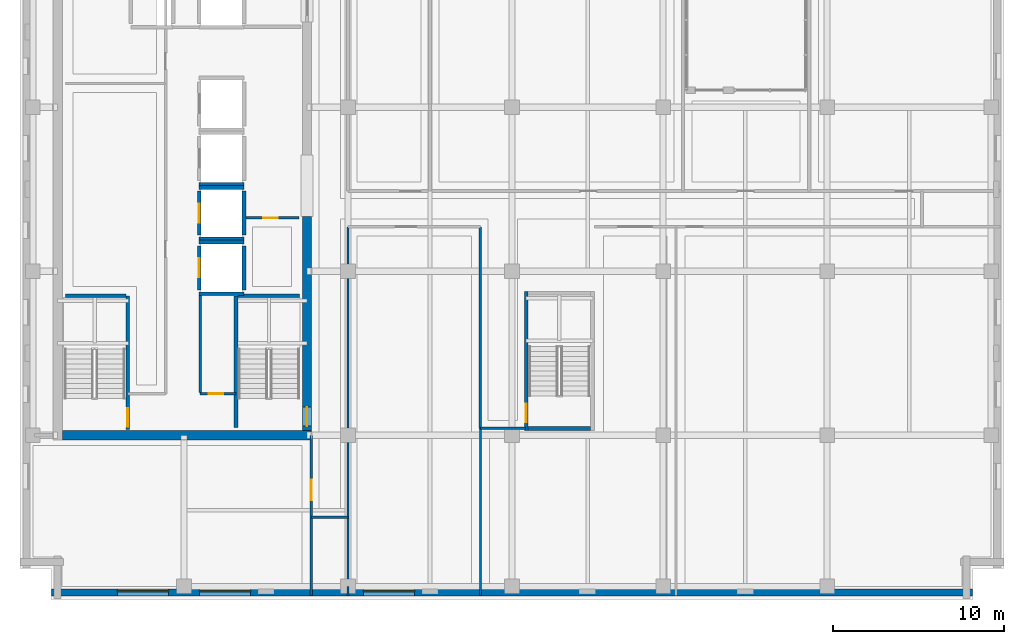
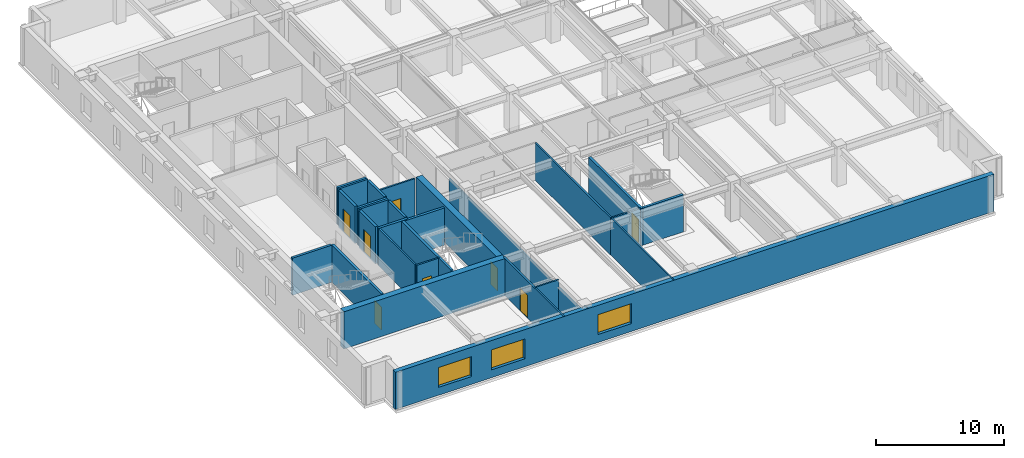
# One storey, part 3 of 14: 28 walls, 8 doors, 3 windows, 11 openings.
"""IFC4 building model written with IfcOpenShell, lengths in metres."""

from ifc_helpers import new_model, si_unit, direction, frame, frame_2d, origin, place, context, subcontext, project, spatial, rectangle, extrude, material, layer, layer_set, type_object, element, fill, save


model = new_model("IFC4")

# Units and contexts
model_context = context("Model", 3, precision=1e-05, world=origin(), true_north=direction((0.0, 1.0)))
body_context = subcontext(model_context, "Body", "Model", "MODEL_VIEW")
ifc_project = project(units=[si_unit("LENGTHUNIT", "METRE"), si_unit("AREAUNIT", "SQUARE_METRE"), si_unit("VOLUMEUNIT", "CUBIC_METRE"), si_unit("PLANEANGLEUNIT", "RADIAN"), si_unit("MASSUNIT", "GRAM", prefix="KILO")], contexts=[model_context])

# Site, building, storey
site_placement = place(None, origin())
site = spatial("IfcSite", under=ifc_project, at=site_placement, CompositionType="ELEMENT")
building_placement = place(site_placement, origin())
building = spatial("IfcBuilding", under=site, at=building_placement, Name="Norrvale University Quadrangle", CompositionType="ELEMENT")
storey_placement = place(building_placement, frame((0.0, 0.0, 221.800048828125)))
storey = spatial("IfcBuildingStorey", under=building, at=storey_placement, Name="L56", CompositionType="ELEMENT", Elevation=221.800048828125)

# Wall, openings, windows
ifc_material_1 = material(Name="Buff Norman Clay Brick Masonry", Category="masonry")
ifc_layer_1 = layer(ifc_material_1, 0.419921875, Name="Buff Norman Clay Brick Masonry")
ifc_layer_set_1 = layer_set([ifc_layer_1], Name="Buff Norman Clay Brick Masonry")
wall_type_1 = type_object("IfcWallType", Name="Wall Buff Brick 420", PredefinedType="SOLIDWALL", material=ifc_layer_set_1)
wall_1_placement = place(storey_placement, frame((1.840087890625, 0.389892578125, 0.0), z_axis=(0.0, 0.0, 1.0), x_axis=(1.0, 0.0, 0.0)))
wall_1 = element("IfcWall", 1, at=wall_1_placement, inside=storey, type_object=wall_type_1, Name="Exterior Brick Facade Wall L56-01.1", PredefinedType="SOLIDWALL", context=body_context, shape_type="SweptSolid", body=[
    extrude(rectangle(XDim=53.919921875, YDim=0.419921875, at=frame_2d((26.9599609375, 0.0))), origin(), (0.0, 0.0, 1.0), 3.5400390625),
])
opening_1_placement = place(wall_1_placement, frame((3.860107421875, 0.0, 0.75)))
opening_1 = element("IfcOpeningElement", 2, at=opening_1_placement, cuts=wall_1, Name="Opening W08", PredefinedType="OPENING", context=body_context, shape_type="SweptSolid", body=[
    extrude(rectangle(XDim=3.0, YDim=1.89990234375, at=frame_2d((1.5, 0.949951171875))), frame((0.0, 0.221923828125, 0.0), z_axis=(0.0, -1.0, 0.0), x_axis=(1.0, 0.0, 0.0)), (0.0, 0.0, 1.0), 0.44384765625),
])
opening_2_placement = place(wall_1_placement, frame((8.659912109375, 0.0, 0.75)))
opening_2 = element("IfcOpeningElement", 3, at=opening_2_placement, cuts=wall_1, Name="Opening W08", PredefinedType="OPENING", context=body_context, shape_type="SweptSolid", body=[
    extrude(rectangle(XDim=3.0, YDim=1.89990234375, at=frame_2d((1.5, 0.949951171875))), frame((0.0, 0.221923828125, 0.0), z_axis=(0.0, -1.0, 0.0), x_axis=(1.0, 0.0, 0.0)), (0.0, 0.0, 1.0), 0.44384765625),
])
opening_3_placement = place(wall_1_placement, frame((18.260009765625, 0.0, 0.75)))
opening_3 = element("IfcOpeningElement", 4, at=opening_3_placement, cuts=wall_1, Name="Opening W08", PredefinedType="OPENING", context=body_context, shape_type="SweptSolid", body=[
    extrude(rectangle(XDim=3.0, YDim=1.89990234375, at=frame_2d((1.5, 0.949951171875))), frame((0.0, 0.221923828125, 0.0), z_axis=(0.0, -1.0, 0.0), x_axis=(1.0, 0.0, 0.0)), (0.0, 0.0, 1.0), 0.44384765625),
])
ifc_material_2 = material(Name="Triple Low-E Argon Glazing", Category="glass")
window_type = type_object("IfcWindowType", Name="Window Lounge 3000x2500", PartitioningType="TRIPLE_PANEL_VERTICAL", PredefinedType="WINDOW", material=ifc_material_2)
window_1_placement = place(opening_1_placement, origin())
window_1 = element("IfcWindow", 5, at=window_1_placement, inside=storey, type_object=window_type, Name="Window Lounge 3000x2500 WIN-L56-E01-1-01", OverallHeight=1.89990234375, OverallWidth=3.0, PartitioningType="TRIPLE_PANEL_VERTICAL", PredefinedType="WINDOW", context=body_context, shape_type="SweptSolid", body=[
    extrude(rectangle(XDim=3.0, YDim=1.89990234375, at=frame_2d((1.5, 0.949951171875))), frame((0.0, 0.110107421875, 0.0), z_axis=(0.0, -1.0, 0.0), x_axis=(1.0, 0.0, 0.0)), (0.0, 0.0, 1.0), 0.06005859375),
])
fill(opening_1, window_1)
window_2_placement = place(opening_2_placement, origin())
window_2 = element("IfcWindow", 6, at=window_2_placement, inside=storey, type_object=window_type, Name="Window Lounge 3000x2500 WIN-L56-E01-1-02", OverallHeight=1.89990234375, OverallWidth=3.0, PartitioningType="TRIPLE_PANEL_VERTICAL", PredefinedType="WINDOW", context=body_context, shape_type="SweptSolid", body=[
    extrude(rectangle(XDim=3.0, YDim=1.89990234375, at=frame_2d((1.5, 0.949951171875))), frame((0.0, 0.110107421875, 0.0), z_axis=(0.0, -1.0, 0.0), x_axis=(1.0, 0.0, 0.0)), (0.0, 0.0, 1.0), 0.06005859375),
])
fill(opening_2, window_2)
window_3_placement = place(opening_3_placement, origin())
window_3 = element("IfcWindow", 7, at=window_3_placement, inside=storey, type_object=window_type, Name="Window Lounge 3000x2500 WIN-L56-E01-1-03", OverallHeight=1.89990234375, OverallWidth=3.0, PartitioningType="TRIPLE_PANEL_VERTICAL", PredefinedType="WINDOW", context=body_context, shape_type="SweptSolid", body=[
    extrude(rectangle(XDim=3.0, YDim=1.89990234375, at=frame_2d((1.5, 0.949951171875))), frame((0.0, 0.110107421875, 0.0), z_axis=(0.0, -1.0, 0.0), x_axis=(1.0, 0.0, 0.0)), (0.0, 0.0, 1.0), 0.06005859375),
])
fill(opening_3, window_3)

# Wall
ifc_material_3 = material(Name="Concrete C60/75", Category="concrete")
ifc_layer_2 = layer(ifc_material_3, 0.550048828125, Name="Concrete C60/75")
ifc_layer_set_2 = layer_set([ifc_layer_2], Name="Concrete C60/75")
wall_type_2 = type_object("IfcWallType", Name="Wall Core 550", PredefinedType="SHEAR", material=ifc_layer_set_2)
wall_2_placement = place(storey_placement, frame((2.47509765625, 9.60009765625, 0.0), z_axis=(0.0, 0.0, 1.0), x_axis=(1.0, 0.0, 0.0)))
element("IfcWall", 8, at=wall_2_placement, inside=storey, type_object=wall_type_2, Name="Tower Core Shear Wall L56-S", PredefinedType="SHEAR", context=body_context, shape_type="SweptSolid", body=[
    extrude(rectangle(XDim=14.599853515625, YDim=0.550048828125, at=frame_2d((7.2998046875, 0.0))), origin(), (0.0, 0.0, 1.0), 3.5400390625),
])

# Wall, opening, door
wall_3_placement = place(storey_placement, frame((16.800048828125, 9.875, 0.0), z_axis=(0.0, 0.0, 1.0), x_axis=(0.0, 1.0, 0.0)))
wall_3 = element("IfcWall", 9, at=wall_3_placement, inside=storey, type_object=wall_type_2, Name="Tower Core Shear Wall L56-E1", PredefinedType="SHEAR", context=body_context, shape_type="SweptSolid", body=[
    extrude(rectangle(XDim=12.52490234375, YDim=0.550048828125, at=frame_2d((6.262451171875, 0.0))), origin(), (0.0, 0.0, 1.0), 3.5400390625),
])
opening_4_placement = place(wall_3_placement, frame((0.264892578125, 0.0, 0.0)))
opening_4 = element("IfcOpeningElement", 10, at=opening_4_placement, cuts=wall_3, Name="Opening D02", PredefinedType="OPENING", context=body_context, shape_type="SweptSolid", body=[
    extrude(rectangle(XDim=1.10009765625, YDim=2.199951171875, at=frame_2d((0.550048828125, 1.10009765625))), frame((0.0, 0.287109375, 0.0), z_axis=(0.0, -1.0, 0.0), x_axis=(1.0, 0.0, 0.0)), (0.0, 0.0, 1.0), 0.573974609375),
])
ifc_material_4 = material(Name="Hollow Steel 350W Fire Door", Category="steel")
door_type_1 = type_object("IfcDoorType", Name="Door Stair Exit 1100x2200", OperationType="NOTDEFINED", PredefinedType="DOOR", material=ifc_material_4)
door_1_placement = place(opening_4_placement, origin())
door_1 = element("IfcDoor", 11, at=door_1_placement, inside=storey, type_object=door_type_1, Name="Door Stair Exit 1100x2200 DR-L56-ST03", OperationType="SINGLE_SWING_LEFT", OverallHeight=2.199951171875, OverallWidth=1.10009765625, PredefinedType="DOOR", context=body_context, shape_type="SweptSolid", body=[
    extrude(rectangle(XDim=1.10009765625, YDim=2.199951171875, at=frame_2d((0.550048828125, 1.10009765625))), frame((0.0, 0.02490234375, 0.0), z_axis=(0.0, -1.0, 0.0), x_axis=(1.0, 0.0, 0.0)), (0.0, 0.0, 1.0), 0.050048828125),
])
fill(opening_4, door_1)

# Walls
ifc_material_5 = material(Name="Standard Academic Gypsum Partition")
ifc_layer_3 = layer(ifc_material_5, 0.125, Name="Standard Academic Gypsum Partition")
ifc_layer_set_3 = layer_set([ifc_layer_3], Name="Standard Academic Gypsum Partition")
wall_type_3 = type_object("IfcWallType", Name="Wall Gypsum Academic 125", PredefinedType="PARTITIONING", material=ifc_layer_set_3)
wall_4_placement = place(storey_placement, frame((19.199951171875, 0.219970703125, 0.0), z_axis=(0.0, 0.0, 1.0), x_axis=(0.0, 1.0, 0.0)))
element("IfcWall", 12, at=wall_4_placement, inside=storey, type_object=wall_type_3, Name="Interior Partition WL-L56-SE-W0", PredefinedType="PARTITIONING", context=body_context, shape_type="SweptSolid", body=[
    extrude(rectangle(XDim=0.530029296875, YDim=0.125, at=frame_2d((0.26513671875, 0.0))), origin(), (0.0, 0.0, 1.0), 3.5400390625),
])
wall_5_placement = place(storey_placement, frame((19.199951171875, 0.75, 0.0), z_axis=(0.0, 0.0, 1.0), x_axis=(0.0, 1.0, 0.0)))
element("IfcWall", 13, at=wall_5_placement, inside=storey, type_object=wall_type_3, Name="Interior Partition WL-L56-SE-W0-B2", PredefinedType="PARTITIONING", context=body_context, shape_type="SweptSolid", body=[
    extrude(rectangle(XDim=21.050048828125, YDim=0.125, at=frame_2d((10.52490234375, 0.0))), origin(), (0.0, 0.0, 1.0), 2.844970703125),
])
wall_6_placement = place(storey_placement, frame((26.949951171875, 0.219970703125, 0.0), z_axis=(0.0, 0.0, 1.0), x_axis=(0.0, 1.0, 0.0)))
element("IfcWall", 14, at=wall_6_placement, inside=storey, type_object=wall_type_3, Name="Interior Partition WL-L56-SEP1A", PredefinedType="PARTITIONING", context=body_context, shape_type="SweptSolid", body=[
    extrude(rectangle(XDim=9.780029296875, YDim=0.125, at=frame_2d((4.89013671875, 0.0))), origin(), (0.0, 0.0, 1.0), 3.5400390625),
])

# Wall, opening, door
ifc_material_6 = material(Name="Fire-Rated Gypsum Stud Partition")
ifc_layer_4 = layer(ifc_material_6, 0.14990234375, Name="Fire-Rated Gypsum Stud Partition")
ifc_layer_set_4 = layer_set([ifc_layer_4], Name="Fire-Rated Gypsum Stud Partition")
wall_type_4 = type_object("IfcWallType", Name="Wall Gypsum Corridor 150", PredefinedType="PARTITIONING", material=ifc_layer_set_4)
wall_7_placement = place(storey_placement, frame((10.550048828125, 12.02001953125, 0.0), z_axis=(0.0, 0.0, 1.0), x_axis=(1.0, 0.0, 0.0)))
wall_7 = element("IfcWall", 15, at=wall_7_placement, inside=storey, type_object=wall_type_4, Name="Interior Partition WL-L56-SC-NR", PredefinedType="PARTITIONING", context=body_context, shape_type="SweptSolid", body=[
    extrude(rectangle(XDim=2.079833984375, YDim=0.14990234375, at=frame_2d((1.0400390625, 0.0))), origin(), (0.0, 0.0, 1.0), 3.5400390625),
])
opening_5_placement = place(wall_7_placement, frame((0.5, 0.0, 0.0)))
opening_5 = element("IfcOpeningElement", 16, at=opening_5_placement, cuts=wall_7, Name="Opening D10", PredefinedType="OPENING", context=body_context, shape_type="SweptSolid", body=[
    extrude(rectangle(XDim=0.85009765625, YDim=2.10009765625, at=frame_2d((0.425048828125, 1.050048828125))), frame((0.0, 0.0869140625, 0.0), z_axis=(0.0, -1.0, 0.0), x_axis=(1.0, 0.0, 0.0)), (0.0, 0.0, 1.0), 0.173828125),
])
ifc_material_7 = material(Name="Hollow Steel 350W Riser Fire Door", Category="steel")
door_type_2 = type_object("IfcDoorType", Name="Door Riser 850x2100", OperationType="NOTDEFINED", PredefinedType="DOOR", material=ifc_material_7)
door_2_placement = place(opening_5_placement, origin())
door_2 = element("IfcDoor", 17, at=door_2_placement, inside=storey, type_object=door_type_2, Name="Door Riser 850x2100 DR-L56-IDF", OperationType="SINGLE_SWING_RIGHT", OverallHeight=2.10009765625, OverallWidth=0.85009765625, PredefinedType="DOOR", context=body_context, shape_type="SweptSolid", body=[
    extrude(rectangle(XDim=0.85009765625, YDim=2.10009765625, at=frame_2d((0.425048828125, 1.050048828125))), frame((0.0, 0.02490234375, 0.0), z_axis=(0.0, -1.0, 0.0), x_axis=(1.0, 0.0, 0.0)), (0.0, 0.0, 1.0), 0.050048828125),
])
fill(opening_5, door_2)

# Wall
wall_8_placement = place(storey_placement, frame((10.550048828125, 12.094970703125, 0.0), z_axis=(0.0, 0.0, 1.0), x_axis=(0.0, 1.0, 0.0)))
element("IfcWall", 18, at=wall_8_placement, inside=storey, type_object=wall_type_4, Name="Interior Partition WL-L56-SC-WR", PredefinedType="PARTITIONING", context=body_context, shape_type="SweptSolid", body=[
    extrude(rectangle(XDim=5.679931640625, YDim=0.14990234375, at=frame_2d((2.83984375, 0.0))), origin(), (0.0, 0.0, 1.0), 3.5400390625),
])

# Wall, opening, door
wall_9_placement = place(storey_placement, frame((13.22509765625, 22.320068359375, 0.0), z_axis=(0.0, 0.0, 1.0), x_axis=(1.0, 0.0, 0.0)))
wall_9 = element("IfcWall", 19, at=wall_9_placement, inside=storey, type_object=wall_type_4, Name="Interior Partition WL-L56-JAN-N", PredefinedType="PARTITIONING", context=body_context, shape_type="SweptSolid", body=[
    extrude(rectangle(XDim=3.119873046875, YDim=0.14990234375, at=frame_2d((1.56005859375, 0.0))), origin(), (0.0, 0.0, 1.0), 3.5400390625),
])
opening_6_placement = place(wall_9_placement, frame((1.0, 0.0, 0.0)))
opening_6 = element("IfcOpeningElement", 20, at=opening_6_placement, cuts=wall_9, Name="Opening D10", PredefinedType="OPENING", context=body_context, shape_type="SweptSolid", body=[
    extrude(rectangle(XDim=0.85009765625, YDim=2.10009765625, at=frame_2d((0.425048828125, 1.050048828125))), frame((0.0, 0.0869140625, 0.0), z_axis=(0.0, -1.0, 0.0), x_axis=(1.0, 0.0, 0.0)), (0.0, 0.0, 1.0), 0.173828125),
])
door_3_placement = place(opening_6_placement, origin())
door_3 = element("IfcDoor", 21, at=door_3_placement, inside=storey, type_object=door_type_2, Name="Door Riser 850x2100 DR-L56-JAN", OperationType="SINGLE_SWING_LEFT", OverallHeight=2.10009765625, OverallWidth=0.85009765625, PredefinedType="DOOR", context=body_context, shape_type="SweptSolid", body=[
    extrude(rectangle(XDim=0.85009765625, YDim=2.10009765625, at=frame_2d((0.425048828125, 1.050048828125))), frame((0.0, 0.02490234375, 0.0), z_axis=(0.0, -1.0, 0.0), x_axis=(1.0, 0.0, 0.0)), (0.0, 0.0, 1.0), 0.050048828125),
])
fill(opening_6, door_3)

# Wall
wall_10_placement = place(storey_placement, frame((17.050048828125, 4.800048828125, 0.0), z_axis=(0.0, 0.0, 1.0), x_axis=(1.0, 0.0, 0.0)))
element("IfcWall", 22, at=wall_10_placement, inside=storey, type_object=wall_type_4, Name="Interior Partition WL-L56-CSP-S", PredefinedType="PARTITIONING", context=body_context, shape_type="SweptSolid", body=[
    extrude(rectangle(XDim=2.14990234375, YDim=0.14990234375, at=frame_2d((1.074951171875, 0.0))), origin(), (0.0, 0.0, 1.0), 3.5400390625),
])

# Wall, opening, door
wall_11_placement = place(storey_placement, frame((17.050048828125, 0.219970703125, 0.0), z_axis=(0.0, 0.0, 1.0), x_axis=(0.0, 1.0, 0.0)))
wall_11 = element("IfcWall", 23, at=wall_11_placement, inside=storey, type_object=wall_type_4, Name="Interior Partition WL-L56-SW-E", PredefinedType="PARTITIONING", context=body_context, shape_type="SweptSolid", body=[
    extrude(rectangle(XDim=9.380126953125, YDim=0.14990234375, at=frame_2d((4.68994140625, 0.0))), origin(), (0.0, 0.0, 1.0), 3.5400390625),
])
opening_7_placement = place(wall_11_placement, frame((5.580078125, 0.0, 0.0)))
opening_7 = element("IfcOpeningElement", 24, at=opening_7_placement, cuts=wall_11, Name="Opening D05", PredefinedType="OPENING", context=body_context, shape_type="SweptSolid", body=[
    extrude(rectangle(XDim=1.199951171875, YDim=2.199951171875, at=frame_2d((0.60009765625, 1.10009765625))), frame((0.0, 0.0869140625, 0.0), z_axis=(0.0, -1.0, 0.0), x_axis=(1.0, 0.0, 0.0)), (0.0, 0.0, 1.0), 0.173828125),
])
ifc_material_8 = material(Name="Acoustic Oak Classroom Door", Category="wood")
door_type_3 = type_object("IfcDoorType", Name="Door Classroom 1200x2200", OperationType="NOTDEFINED", PredefinedType="DOOR", material=ifc_material_8)
door_4_placement = place(opening_7_placement, origin())
door_4 = element("IfcDoor", 25, at=door_4_placement, inside=storey, type_object=door_type_3, Name="Door Classroom 1200x2200 DR-L56-SW1", OperationType="SINGLE_SWING_LEFT", OverallHeight=2.199951171875, OverallWidth=1.199951171875, PredefinedType="DOOR", context=body_context, shape_type="SweptSolid", body=[
    extrude(rectangle(XDim=1.199951171875, YDim=2.199951171875, at=frame_2d((0.60009765625, 1.10009765625))), frame((0.0, 0.02490234375, 0.0), z_axis=(0.0, -1.0, 0.0), x_axis=(1.0, 0.0, 0.0)), (0.0, 0.0, 1.0), 0.050048828125),
])
fill(opening_7, door_4)

# Walls
wall_12_placement = place(storey_placement, frame((26.949951171875, 10.0, 0.0), z_axis=(0.0, 0.0, 1.0), x_axis=(0.0, 1.0, 0.0)))
element("IfcWall", 26, at=wall_12_placement, inside=storey, type_object=wall_type_4, Name="Interior Partition WL-L56-SEP1B", PredefinedType="PARTITIONING", context=body_context, shape_type="SweptSolid", body=[
    extrude(rectangle(XDim=11.800048828125, YDim=0.14990234375, at=frame_2d((5.89990234375, 0.0))), origin(), (0.0, 0.0, 1.0), 3.5400390625),
])
wall_13_placement = place(storey_placement, frame((26.949951171875, 10.0, 0.0), z_axis=(0.0, 0.0, 1.0), x_axis=(1.0, 0.0, 0.0)))
element("IfcWall", 27, at=wall_13_placement, inside=storey, type_object=wall_type_4, Name="Interior Partition WL-L56-SEP1C", PredefinedType="PARTITIONING", context=body_context, shape_type="SweptSolid", body=[
    extrude(rectangle(XDim=2.630126953125, YDim=0.14990234375, at=frame_2d((1.31494140625, 0.0))), origin(), (0.0, 0.0, 1.0), 3.5400390625),
])

# Wall, opening, door
ifc_material_9 = material(Name="Concrete Blockwork 20 MPa Fire Shaft", Category="masonry")
ifc_layer_5 = layer(ifc_material_9, 0.219970703125, Name="Concrete Blockwork 20 MPa Fire Shaft")
ifc_layer_set_5 = layer_set([ifc_layer_5], Name="Concrete Blockwork 20 MPa Fire Shaft")
wall_type_5 = type_object("IfcWallType", Name="Wall Shaft 220", PredefinedType="SOLIDWALL", material=ifc_layer_set_5)
wall_14_placement = place(storey_placement, frame((6.31005859375, 9.949951171875, 0.0), z_axis=(0.0, 0.0, 1.0), x_axis=(0.0, 1.0, 0.0)))
wall_14 = element("IfcWall", 28, at=wall_14_placement, inside=storey, type_object=wall_type_5, Name="Stair ST-01 East Shaft Wall L56", PredefinedType="SOLIDWALL", context=body_context, shape_type="SweptSolid", body=[
    extrude(rectangle(XDim=7.81005859375, YDim=0.219970703125, at=frame_2d((3.905029296875, 0.0))), origin(), (0.0, 0.0, 1.0), 3.5400390625),
])
opening_8_placement = place(wall_14_placement, frame((0.139892578125, 0.0, 0.0)))
opening_8 = element("IfcOpeningElement", 29, at=opening_8_placement, cuts=wall_14, Name="Opening D02", PredefinedType="OPENING", context=body_context, shape_type="SweptSolid", body=[
    extrude(rectangle(XDim=1.10009765625, YDim=2.199951171875, at=frame_2d((0.550048828125, 1.10009765625))), frame((0.0, 0.1220703125, 0.0), z_axis=(0.0, -1.0, 0.0), x_axis=(1.0, 0.0, 0.0)), (0.0, 0.0, 1.0), 0.243896484375),
])
door_5_placement = place(opening_8_placement, origin())
door_5 = element("IfcDoor", 30, at=door_5_placement, inside=storey, type_object=door_type_1, Name="Door Stair Exit 1100x2200 DR-L56-ST01", OperationType="SINGLE_SWING_LEFT", OverallHeight=2.199951171875, OverallWidth=1.10009765625, PredefinedType="DOOR", context=body_context, shape_type="SweptSolid", body=[
    extrude(rectangle(XDim=1.10009765625, YDim=2.199951171875, at=frame_2d((0.550048828125, 1.10009765625))), frame((0.0, 0.02490234375, 0.0), z_axis=(0.0, -1.0, 0.0), x_axis=(1.0, 0.0, 0.0)), (0.0, 0.0, 1.0), 0.050048828125),
])
fill(opening_8, door_5)

# Walls
wall_15_placement = place(storey_placement, frame((2.64990234375, 17.760009765625, 0.0), z_axis=(0.0, 0.0, 1.0), x_axis=(1.0, 0.0, 0.0)))
element("IfcWall", 31, at=wall_15_placement, inside=storey, type_object=wall_type_5, Name="Stair ST-01 North Shaft Wall L56", PredefinedType="SOLIDWALL", context=body_context, shape_type="SweptSolid", body=[
    extrude(rectangle(XDim=3.550048828125, YDim=0.219970703125, at=frame_2d((1.77490234375, 0.0))), origin(), (0.0, 0.0, 1.0), 3.5400390625),
])
wall_16_placement = place(storey_placement, frame((12.639892578125, 10.050048828125, 0.0), z_axis=(0.0, 0.0, 1.0), x_axis=(0.0, 1.0, 0.0)))
element("IfcWall", 32, at=wall_16_placement, inside=storey, type_object=wall_type_5, Name="Stair ST-03 West Shaft Wall L56", PredefinedType="SOLIDWALL", context=body_context, shape_type="SweptSolid", body=[
    extrude(rectangle(XDim=7.7099609375, YDim=0.219970703125, at=frame_2d((3.85498046875, 0.0))), origin(), (0.0, 0.0, 1.0), 3.5400390625),
])
wall_17_placement = place(storey_placement, frame((12.75, 17.760009765625, 0.0), z_axis=(0.0, 0.0, 1.0), x_axis=(1.0, 0.0, 0.0)))
element("IfcWall", 33, at=wall_17_placement, inside=storey, type_object=wall_type_5, Name="Stair ST-03 North Shaft Wall L56", PredefinedType="SOLIDWALL", context=body_context, shape_type="SweptSolid", body=[
    extrude(rectangle(XDim=3.60009765625, YDim=0.219970703125, at=frame_2d((1.800048828125, 0.0))), origin(), (0.0, 0.0, 1.0), 3.5400390625),
])
wall_18_placement = place(storey_placement, frame((29.75, 9.989990234375, 0.0), z_axis=(0.0, 0.0, 1.0), x_axis=(1.0, 0.0, 0.0)))
element("IfcWall", 34, at=wall_18_placement, inside=storey, type_object=wall_type_5, Name="Stair ST-04 South Shaft Wall L56", PredefinedType="SOLIDWALL", context=body_context, shape_type="SweptSolid", body=[
    extrude(rectangle(XDim=3.64990234375, YDim=0.219970703125, at=frame_2d((1.824951171875, 0.0))), origin(), (0.0, 0.0, 1.0), 3.5400390625),
])

# Wall, opening, door
wall_19_placement = place(storey_placement, frame((29.639892578125, 9.8798828125, 0.0), z_axis=(0.0, 0.0, 1.0), x_axis=(0.0, 1.0, 0.0)))
wall_19 = element("IfcWall", 35, at=wall_19_placement, inside=storey, type_object=wall_type_5, Name="Stair ST-04 West Shaft Wall L56", PredefinedType="SOLIDWALL", context=body_context, shape_type="SweptSolid", body=[
    extrude(rectangle(XDim=8.14013671875, YDim=0.219970703125, at=frame_2d((4.070068359375, 0.0))), origin(), (0.0, 0.0, 1.0), 3.5400390625),
])
opening_9_placement = place(wall_19_placement, frame((0.469970703125, 0.0, 0.0)))
opening_9 = element("IfcOpeningElement", 36, at=opening_9_placement, cuts=wall_19, Name="Opening D02", PredefinedType="OPENING", context=body_context, shape_type="SweptSolid", body=[
    extrude(rectangle(XDim=1.10009765625, YDim=2.199951171875, at=frame_2d((0.550048828125, 1.10009765625))), frame((0.0, 0.1220703125, 0.0), z_axis=(0.0, -1.0, 0.0), x_axis=(1.0, 0.0, 0.0)), (0.0, 0.0, 1.0), 0.243896484375),
])
door_6_placement = place(opening_9_placement, frame((1.10009765625, 0.0, 0.0), z_axis=(0.0, 0.0, 1.0), x_axis=(-1.0, 0.0, 0.0)))
door_6 = element("IfcDoor", 37, at=door_6_placement, inside=storey, type_object=door_type_1, Name="Door Stair Exit 1100x2200 DR-L56-ST04", OperationType="SINGLE_SWING_RIGHT", OverallHeight=2.199951171875, OverallWidth=1.10009765625, PredefinedType="DOOR", context=body_context, shape_type="SweptSolid", body=[
    extrude(rectangle(XDim=1.10009765625, YDim=2.199951171875, at=frame_2d((0.550048828125, 1.10009765625))), frame((0.0, 0.02490234375, 0.0), z_axis=(0.0, -1.0, 0.0), x_axis=(1.0, 0.0, 0.0)), (0.0, 0.0, 1.0), 0.050048828125),
])
fill(opening_9, door_6)

wall_20_placement = place(storey_placement, frame((10.489990234375, 18.110107421875, 0.0), z_axis=(0.0, 0.0, 1.0), x_axis=(0.0, 1.0, 0.0)))
wall_20 = element("IfcWall", 38, at=wall_20_placement, inside=storey, type_object=wall_type_5, Name="Hoistway PL-05 West Wall L56", PredefinedType="SOLIDWALL", context=body_context, shape_type="SweptSolid", body=[
    extrude(rectangle(XDim=2.579833984375, YDim=0.219970703125, at=frame_2d((1.2900390625, 0.0))), origin(), (0.0, 0.0, 1.0), 3.5400390625),
])
opening_10_placement = place(wall_20_placement, frame((0.739990234375, 0.0, 0.0)))
opening_10 = element("IfcOpeningElement", 39, at=opening_10_placement, cuts=wall_20, Name="Opening LD1", PredefinedType="OPENING", context=body_context, shape_type="SweptSolid", body=[
    extrude(rectangle(XDim=1.10009765625, YDim=2.199951171875, at=frame_2d((0.550048828125, 1.10009765625))), frame((0.0, 0.1220703125, 0.0), z_axis=(0.0, -1.0, 0.0), x_axis=(1.0, 0.0, 0.0)), (0.0, 0.0, 1.0), 0.243896484375),
])
ifc_material_10 = material(Name="Stainless Steel 316L Lift Landing Door", Category="steel")
door_type_4 = type_object("IfcDoorType", Name="Door Lift Landing 1100x2200", OperationType="DOUBLE_DOOR_SLIDING", PredefinedType="DOOR", material=ifc_material_10)
door_7_placement = place(opening_10_placement, origin())
door_7 = element("IfcDoor", 40, at=door_7_placement, inside=storey, type_object=door_type_4, Name="Elevator Landing Door DR-L56-PL-05", OperationType="DOUBLE_DOOR_SLIDING", OverallHeight=2.199951171875, OverallWidth=1.10009765625, PredefinedType="DOOR", context=body_context, shape_type="SweptSolid", body=[
    extrude(rectangle(XDim=1.10009765625, YDim=2.199951171875, at=frame_2d((0.550048828125, 1.10009765625))), frame((0.0, 0.02490234375, 0.0), z_axis=(0.0, -1.0, 0.0), x_axis=(1.0, 0.0, 0.0)), (0.0, 0.0, 1.0), 0.050048828125),
])
fill(opening_10, door_7)

# Walls
wall_21_placement = place(storey_placement, frame((13.110107421875, 18.110107421875, 0.0), z_axis=(0.0, 0.0, 1.0), x_axis=(0.0, 1.0, 0.0)))
element("IfcWall", 41, at=wall_21_placement, inside=storey, type_object=wall_type_5, Name="Hoistway PL-05 East Wall L56", PredefinedType="SOLIDWALL", context=body_context, shape_type="SweptSolid", body=[
    extrude(rectangle(XDim=2.579833984375, YDim=0.219970703125, at=frame_2d((1.2900390625, 0.0))), origin(), (0.0, 0.0, 1.0), 3.5400390625),
])
for number, where, z_axis, x_axis, name in (
    (42, (10.489990234375, 17.889892578125, 0.0), (0.0, 0.0, 1.0), (1.0, 0.0, 0.0), "Hoistway PL-05 South Wall L56"),
    (43, (10.489990234375, 20.909912109375, 0.0), (0.0, 0.0, 1.0), (1.0, 0.0, 0.0), "Hoistway PL-05 North Wall L56"),
):
    element("IfcWall", number, at=place(storey_placement, frame(where, z_axis=z_axis, x_axis=x_axis)), inside=storey, type_object=wall_type_5, Name=name, PredefinedType="SOLIDWALL", context=body_context, shape_type="SweptSolid", body=[
        extrude(rectangle(XDim=2.6201171875, YDim=0.219970703125, at=frame_2d((1.31005859375, 0.0))), origin(), (0.0, 0.0, 1.0), 3.5400390625),
    ])

# Wall, opening, door
wall_22_placement = place(storey_placement, frame((10.489990234375, 21.31005859375, 0.0), z_axis=(0.0, 0.0, 1.0), x_axis=(0.0, 1.0, 0.0)))
wall_22 = element("IfcWall", 44, at=wall_22_placement, inside=storey, type_object=wall_type_5, Name="Hoistway PL-06 West Wall L56", PredefinedType="SOLIDWALL", context=body_context, shape_type="SweptSolid", body=[
    extrude(rectangle(XDim=2.579833984375, YDim=0.219970703125, at=frame_2d((1.2900390625, 0.0))), origin(), (0.0, 0.0, 1.0), 3.5400390625),
])
opening_11_placement = place(wall_22_placement, frame((0.739990234375, 0.0, 0.0)))
opening_11 = element("IfcOpeningElement", 45, at=opening_11_placement, cuts=wall_22, Name="Opening LD1", PredefinedType="OPENING", context=body_context, shape_type="SweptSolid", body=[
    extrude(rectangle(XDim=1.10009765625, YDim=2.199951171875, at=frame_2d((0.550048828125, 1.10009765625))), frame((0.0, 0.1220703125, 0.0), z_axis=(0.0, -1.0, 0.0), x_axis=(1.0, 0.0, 0.0)), (0.0, 0.0, 1.0), 0.243896484375),
])
door_8_placement = place(opening_11_placement, origin())
door_8 = element("IfcDoor", 46, at=door_8_placement, inside=storey, type_object=door_type_4, Name="Elevator Landing Door DR-L56-PL-06", OperationType="DOUBLE_DOOR_SLIDING", OverallHeight=2.199951171875, OverallWidth=1.10009765625, PredefinedType="DOOR", context=body_context, shape_type="SweptSolid", body=[
    extrude(rectangle(XDim=1.10009765625, YDim=2.199951171875, at=frame_2d((0.550048828125, 1.10009765625))), frame((0.0, 0.02490234375, 0.0), z_axis=(0.0, -1.0, 0.0), x_axis=(1.0, 0.0, 0.0)), (0.0, 0.0, 1.0), 0.050048828125),
])
fill(opening_11, door_8)

# Walls
wall_23_placement = place(storey_placement, frame((13.110107421875, 21.31005859375, 0.0), z_axis=(0.0, 0.0, 1.0), x_axis=(0.0, 1.0, 0.0)))
element("IfcWall", 47, at=wall_23_placement, inside=storey, type_object=wall_type_5, Name="Hoistway PL-06 East Wall L56", PredefinedType="SOLIDWALL", context=body_context, shape_type="SweptSolid", body=[
    extrude(rectangle(XDim=2.579833984375, YDim=0.219970703125, at=frame_2d((1.2900390625, 0.0))), origin(), (0.0, 0.0, 1.0), 3.5400390625),
])
for number, where, z_axis, x_axis, name in (
    (48, (10.489990234375, 21.090087890625, 0.0), (0.0, 0.0, 1.0), (1.0, 0.0, 0.0), "Hoistway PL-06 South Wall L56"),
    (49, (10.489990234375, 24.110107421875, 0.0), (0.0, 0.0, 1.0), (1.0, 0.0, 0.0), "Hoistway PL-06 North Wall L56"),
    (50, (10.489990234375, 24.2900390625, 0.0), (0.0, 0.0, 1.0), (1.0, 0.0, 0.0), "Hoistway PL-07 South Wall L56"),
):
    element("IfcWall", number, at=place(storey_placement, frame(where, z_axis=z_axis, x_axis=x_axis)), inside=storey, type_object=wall_type_5, Name=name, PredefinedType="SOLIDWALL", context=body_context, shape_type="SweptSolid", body=[
        extrude(rectangle(XDim=2.6201171875, YDim=0.219970703125, at=frame_2d((1.31005859375, 0.0))), origin(), (0.0, 0.0, 1.0), 3.5400390625),
    ])

save(model, "model.ifc")
